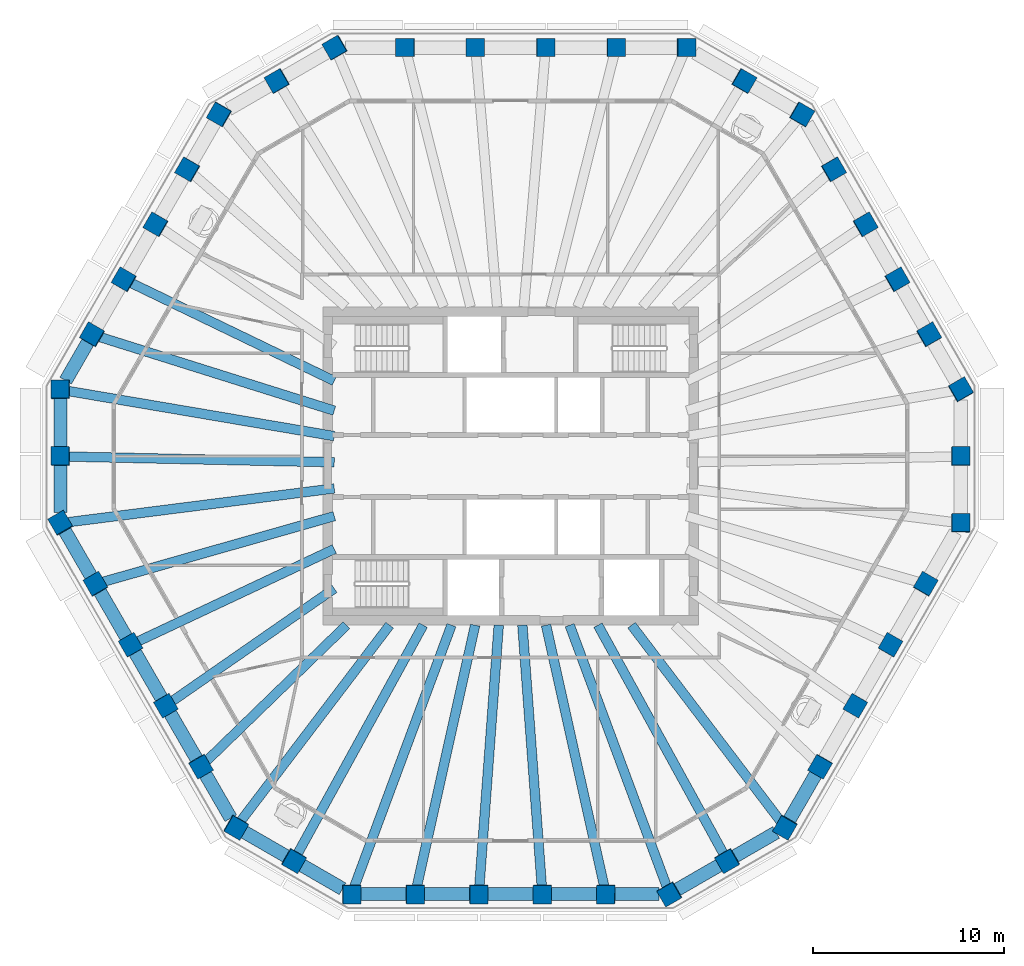
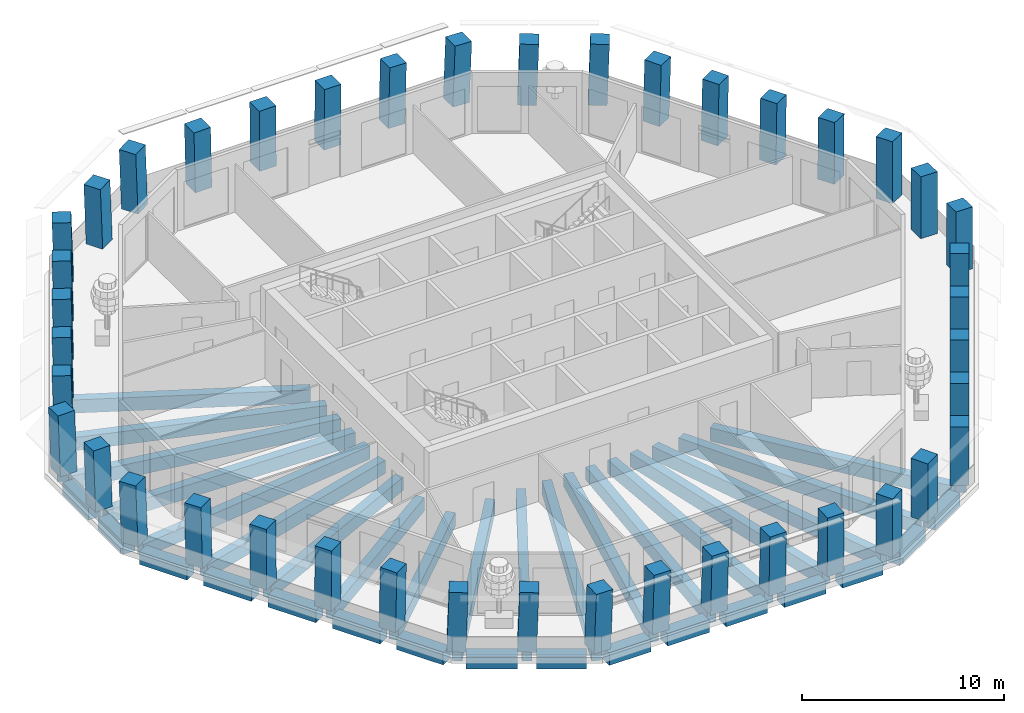
# One storey, part 1 of 11: 42 columns, 37 beams.
"""IFC4 building model written with IfcOpenShell, lengths in metres."""

from ifc_helpers import new_model, si_unit, direction, frame, origin, origin_2d, place, context, subcontext, project, spatial, rectangle, extrude, material, material_profile, profile_set, type_object, element, save


model = new_model("IFC4")

# Units and contexts
model_context = context("Model", 3, precision=1e-05, world=origin(), true_north=direction((0.0, 1.0)))
body_context = subcontext(model_context, "Body", "Model", "MODEL_VIEW")
ifc_project = project(units=[si_unit("LENGTHUNIT", "METRE"), si_unit("AREAUNIT", "SQUARE_METRE"), si_unit("VOLUMEUNIT", "CUBIC_METRE"), si_unit("PLANEANGLEUNIT", "RADIAN"), si_unit("MASSUNIT", "GRAM", prefix="KILO")], contexts=[model_context])

# Site, building, storey
site_placement = place(None, origin())
site = spatial("IfcSite", under=ifc_project, at=site_placement, CompositionType="ELEMENT")
building_placement = place(site_placement, origin())
building = spatial("IfcBuilding", under=site, at=building_placement, Name="Frailejon Research Tower", CompositionType="ELEMENT")
storey_placement = place(building_placement, frame((0.0, 0.0, 279.0)))
storey = spatial("IfcBuildingStorey", under=building, at=storey_placement, Name="L61", CompositionType="ELEMENT", Elevation=279.0)

# Columns
ifc_material_1 = material(Name="Concrete C50/60", Category="concrete")
ifc_material_profile_1 = material_profile(ifc_material_1, rectangle(XDim=0.949951171875, YDim=0.949951171875, at=origin_2d()), Name="Column 950")
ifc_profile_set_1 = profile_set([ifc_material_profile_1], Name="Concrete C50/60")
column_type = type_object("IfcColumnType", Name="Column 950", PredefinedType="COLUMN", material=ifc_profile_set_1)
for number, where, z_axis, x_axis, name in (
    (1, (23.614013671875, -2.9990234375, 0.0), (0.018182027584, 0.031350628444, 0.9993430602), (0.001220951571, 0.999506844207, -0.031377980519), "Column C01"),
    (2, (23.614013671875, 0.502685546875, 0.0), (0.01818198944, 0.031417408223, 0.999340963696), (0.00029662875, 0.999505974612, -0.031427992715), "Column C02"),
    (3, (23.614013671875, 4.0048828125, 0.0), (0.018182027584, 0.031350628444, 0.9993430602), (-0.498859598817, 0.866493650733, -0.018106736543), "Column C03"),
):
    element("IfcColumn", number, at=place(storey_placement, frame(where, z_axis=z_axis, x_axis=x_axis)), inside=storey, type_object=column_type, Name=name, PredefinedType="COLUMN", context=body_context, shape_type="SweptSolid", body=[
        extrude(rectangle(XDim=0.949951171875, YDim=0.949951171875, at=origin_2d()), origin(), (0.0, 0.0, 1.0), 3.65234375),
    ])
column_1_placement = place(storey_placement, frame((21.9462890625, 6.893310546875, 0.0), z_axis=(0.021793949015, 0.025136579231, 0.999446434868), x_axis=(-0.499172624886, 0.866433923407, -0.010906279564)))
element("IfcColumn", 4, at=column_1_placement, inside=storey, type_object=column_type, Name="Column C04", PredefinedType="COLUMN", context=body_context, shape_type="SweptSolid", body=[
    extrude(rectangle(XDim=0.949951171875, YDim=0.949951171875, at=origin_2d()), origin(), (0.0, 0.0, 1.0), 3.65185546875),
])
for number, where, z_axis, x_axis, name in (
    (5, (20.278564453125, 9.781982421875, 0.0), (0.025405336763, 0.018853434124, 0.999499433159), (-0.500083894321, 0.865969380989, -0.003623510742), "Column C05"),
    (6, (18.61083984375, 12.670654296875, 0.0), (0.029015583354, 0.012568962375, 0.99949993352), (-0.500120886693, 0.865947994233, 0.003629046282), "Column C06"),
):
    element("IfcColumn", number, at=place(storey_placement, frame(where, z_axis=z_axis, x_axis=x_axis)), inside=storey, type_object=column_type, Name=name, PredefinedType="COLUMN", context=body_context, shape_type="SweptSolid", body=[
        extrude(rectangle(XDim=0.949951171875, YDim=0.949951171875, at=origin_2d()), origin(), (0.0, 0.0, 1.0), 3.651611328125),
    ])
column_2_placement = place(storey_placement, frame((16.943115234375, 15.559326171875, 0.0), z_axis=(0.032624119908, 0.006284154245, 0.999447935715), x_axis=(-0.500036299202, 0.865936128062, 0.010877573109)))
element("IfcColumn", 7, at=column_2_placement, inside=storey, type_object=column_type, Name="Column C07", PredefinedType="COLUMN", context=body_context, shape_type="SweptSolid", body=[
    extrude(rectangle(XDim=0.949951171875, YDim=0.949951171875, at=origin_2d()), origin(), (0.0, 0.0, 1.0), 3.65185546875),
])
for number, where, z_axis, x_axis, name in (
    (8, (15.275390625, 18.447998046875, 0.0), (0.036230378439, 0.0, 0.99934346432), (-0.865314641241, 0.500246354177, 0.031371273281), "Column C08"),
    (9, (12.242431640625, 20.198974609375, 0.0), (0.036297136169, 0.0, 0.99934104184), (-0.865312543657, 0.500246354177, 0.031429077673), "Column C09"),
    (10, (9.209716796875, 21.949951171875, 0.0), (0.036297136169, 0.0, 0.99934104184), (-0.99934104184, 0.0, 0.036297136169), "Column C10"),
):
    element("IfcColumn", number, at=place(storey_placement, frame(where, z_axis=z_axis, x_axis=x_axis)), inside=storey, type_object=column_type, Name=name, PredefinedType="COLUMN", context=body_context, shape_type="SweptSolid", body=[
        extrude(rectangle(XDim=0.949951171875, YDim=0.949951171875, at=origin_2d()), origin(), (0.0, 0.0, 1.0), 3.65234375),
    ])
column_3_placement = place(storey_placement, frame((5.52587890625, 21.949951171875, 0.0), z_axis=(0.021733995409, 0.0, 0.999763788824), x_axis=(-0.999763788824, 0.0, 0.021733995409)))
element("IfcColumn", 11, at=column_3_placement, inside=storey, type_object=column_type, Name="Column C11", PredefinedType="COLUMN", context=body_context, shape_type="SweptSolid", body=[
    extrude(rectangle(XDim=0.949951171875, YDim=0.949951171875, at=origin_2d()), origin(), (0.0, 0.0, 1.0), 3.65087890625),
])
for number, where, z_axis, x_axis, name in (
    (12, (1.841796875, 21.949951171875, 0.0), (0.00729077612, 0.0, 0.999973421939), (-0.999973421939, 0.0, 0.00729077612), "Column C12"),
    (13, (-1.841796875, 21.949951171875, 0.0), (-0.00729077612, 0.0, 0.999973421939), (-0.999973421939, 0.0, -0.00729077612), "Column C13"),
):
    element("IfcColumn", number, at=place(storey_placement, frame(where, z_axis=z_axis, x_axis=x_axis)), inside=storey, type_object=column_type, Name=name, PredefinedType="COLUMN", context=body_context, shape_type="SweptSolid", body=[
        extrude(rectangle(XDim=0.949951171875, YDim=0.949951171875, at=origin_2d()), origin(), (0.0, 0.0, 1.0), 3.64990234375),
    ])
column_4_placement = place(storey_placement, frame((-5.52587890625, 21.949951171875, 0.0), z_axis=(-0.021733995409, 0.0, 0.999763788824), x_axis=(-0.999763788824, 0.0, -0.021733995409)))
element("IfcColumn", 14, at=column_4_placement, inside=storey, type_object=column_type, Name="Column C14", PredefinedType="COLUMN", context=body_context, shape_type="SweptSolid", body=[
    extrude(rectangle(XDim=0.949951171875, YDim=0.949951171875, at=origin_2d()), origin(), (0.0, 0.0, 1.0), 3.65087890625),
])
for number, where, z_axis, x_axis, name in (
    (15, (-9.209716796875, 21.949951171875, 0.0), (-0.036297136169, 0.0, 0.99934104184), (-0.865312543657, -0.500246354177, -0.031429077673), "Column C15"),
    (16, (-12.242431640625, 20.198974609375, 0.0), (-0.036297136169, 0.0, 0.99934104184), (-0.865312543657, -0.500246354177, -0.031429077673), "Column C16"),
    (17, (-15.275390625, 18.447998046875, 0.0), (-0.036230378439, 0.0, 0.99934346432), (-0.499425499283, -0.866167613071, -0.018106262248), "Column C17"),
):
    element("IfcColumn", number, at=place(storey_placement, frame(where, z_axis=z_axis, x_axis=x_axis)), inside=storey, type_object=column_type, Name=name, PredefinedType="COLUMN", context=body_context, shape_type="SweptSolid", body=[
        extrude(rectangle(XDim=0.949951171875, YDim=0.949951171875, at=origin_2d()), origin(), (0.0, 0.0, 1.0), 3.65234375),
    ])
column_5_placement = place(storey_placement, frame((-16.943115234375, 15.559326171875, 0.0), z_axis=(-0.032624119908, 0.006284154245, 0.999447935715), x_axis=(-0.500036299202, -0.865936128062, -0.010877573109)))
element("IfcColumn", 18, at=column_5_placement, inside=storey, type_object=column_type, Name="Column C18", PredefinedType="COLUMN", context=body_context, shape_type="SweptSolid", body=[
    extrude(rectangle(XDim=0.949951171875, YDim=0.949951171875, at=origin_2d()), origin(), (0.0, 0.0, 1.0), 3.65185546875),
])
for number, where, z_axis, x_axis, name in (
    (19, (-18.61083984375, 12.670654296875, 0.0), (-0.029015583354, 0.012568962375, 0.99949993352), (-0.500120886693, -0.865947994233, -0.003629046282), "Column C19"),
    (20, (-20.278564453125, 9.781982421875, 0.0), (-0.025405336763, 0.018853434124, 0.999499433159), (-0.500083894321, -0.865969380989, 0.003623510742), "Column C20"),
):
    element("IfcColumn", number, at=place(storey_placement, frame(where, z_axis=z_axis, x_axis=x_axis)), inside=storey, type_object=column_type, Name=name, PredefinedType="COLUMN", context=body_context, shape_type="SweptSolid", body=[
        extrude(rectangle(XDim=0.949951171875, YDim=0.949951171875, at=origin_2d()), origin(), (0.0, 0.0, 1.0), 3.651611328125),
    ])
column_6_placement = place(storey_placement, frame((-21.9462890625, 6.893310546875, 0.0), z_axis=(-0.021793949015, 0.025136579231, 0.999446434868), x_axis=(-0.499172624886, -0.866433923407, 0.010906279564)))
element("IfcColumn", 21, at=column_6_placement, inside=storey, type_object=column_type, Name="Column C21", PredefinedType="COLUMN", context=body_context, shape_type="SweptSolid", body=[
    extrude(rectangle(XDim=0.949951171875, YDim=0.949951171875, at=origin_2d()), origin(), (0.0, 0.0, 1.0), 3.65185546875),
])
for number, where, z_axis, x_axis, name in (
    (22, (-23.614013671875, 4.0048828125, 0.0), (-0.018182027584, 0.031350628444, 0.9993430602), (0.001220951571, -0.999506844207, 0.031377980519), "Column C22"),
    (23, (-23.614013671875, 0.502685546875, 0.0), (-0.01818198944, 0.031417408223, 0.999340963696), (0.00029662875, -0.999505974612, 0.031427992715), "Column C23"),
    (24, (-23.614013671875, -2.9990234375, 0.0), (-0.018182027584, 0.031350628444, 0.9993430602), (0.501220488525, -0.864560335597, 0.036241523095), "Column C24"),
):
    element("IfcColumn", number, at=place(storey_placement, frame(where, z_axis=z_axis, x_axis=x_axis)), inside=storey, type_object=column_type, Name=name, PredefinedType="COLUMN", context=body_context, shape_type="SweptSolid", body=[
        extrude(rectangle(XDim=0.949951171875, YDim=0.949951171875, at=origin_2d()), origin(), (0.0, 0.0, 1.0), 3.65234375),
    ])
column_7_placement = place(storey_placement, frame((-21.772216796875, -6.189453125, 0.0), z_axis=(-0.010900423214, 0.018858400897, 0.999762742599), x_axis=(0.500590318805, -0.865410234662, 0.021782067434)))
element("IfcColumn", 25, at=column_7_placement, inside=storey, type_object=column_type, Name="Column C25", PredefinedType="COLUMN", context=body_context, shape_type="SweptSolid", body=[
    extrude(rectangle(XDim=0.949951171875, YDim=0.949951171875, at=origin_2d()), origin(), (0.0, 0.0, 1.0), 3.65087890625),
])
for number, where, z_axis, x_axis, name in (
    (26, (-19.93017578125, -9.3798828125, 0.0), (-0.003611945175, 0.00628746012, 0.999973710503), (0.497890394796, -0.867209649664, 0.007251089524), "Column C26"),
    (27, (-18.08837890625, -12.5703125, 0.0), (0.003611946686, -0.006220574848, 0.99997412881), (0.501902146393, -0.864894498618, -0.007193170855), "Column C27"),
):
    element("IfcColumn", number, at=place(storey_placement, frame(where, z_axis=z_axis, x_axis=x_axis)), inside=storey, type_object=column_type, Name=name, PredefinedType="COLUMN", context=body_context, shape_type="SweptSolid", body=[
        extrude(rectangle(XDim=0.949951171875, YDim=0.949951171875, at=origin_2d()), origin(), (0.0, 0.0, 1.0), 3.64990234375),
    ])
column_8_placement = place(storey_placement, frame((-16.246337890625, -15.760498046875, 0.0), z_axis=(0.010900423214, -0.018858400897, 0.999762742599), x_axis=(0.500590318805, -0.865410234662, -0.021782067434)))
element("IfcColumn", 28, at=column_8_placement, inside=storey, type_object=column_type, Name="Column C28", PredefinedType="COLUMN", context=body_context, shape_type="SweptSolid", body=[
    extrude(rectangle(XDim=0.949951171875, YDim=0.949951171875, at=origin_2d()), origin(), (0.0, 0.0, 1.0), 3.65087890625),
])
for number, where, z_axis, x_axis, name in (
    (29, (-14.404296875, -18.950927734375, 0.0), (0.018115165867, -0.031417446337, 0.999342176049), (0.865519692755, -0.499889378995, -0.031404939456), "Column C29"),
    (30, (-11.37158203125, -20.701904296875, 0.0), (0.018115203871, -0.031350666477, 0.999344272561), (0.865981217505, -0.499092579547, -0.031354871555), "Column C30"),
    (31, (-8.3388671875, -22.452880859375, 0.0), (0.018115203871, -0.031350666477, 0.999344272561), (0.999835887043, 0.000763832147, -0.018100153051), "Column C31"),
):
    element("IfcColumn", number, at=place(storey_placement, frame(where, z_axis=z_axis, x_axis=x_axis)), inside=storey, type_object=column_type, Name=name, PredefinedType="COLUMN", context=body_context, shape_type="SweptSolid", body=[
        extrude(rectangle(XDim=0.949951171875, YDim=0.949951171875, at=origin_2d()), origin(), (0.0, 0.0, 1.0), 3.65234375),
    ])
column_9_placement = place(storey_placement, frame((-5.00341796875, -22.452880859375, 0.0), z_axis=(0.010963846589, -0.031353927136, 0.999448210425), x_axis=(0.999936729762, 0.002858749712, -0.010879523081)))
element("IfcColumn", 32, at=column_9_placement, inside=storey, type_object=column_type, Name="Column C32", PredefinedType="COLUMN", context=body_context, shape_type="SweptSolid", body=[
    extrude(rectangle(XDim=0.949951171875, YDim=0.949951171875, at=origin_2d()), origin(), (0.0, 0.0, 1.0), 3.65185546875),
])
for number, where, z_axis, x_axis, name in (
    (33, (-1.667724609375, -22.452880859375, 0.0), (0.003610240514, -0.031355607426, 0.999501771908), (0.999992986294, -0.000883072198, -0.003639717868), "Column C33"),
    (34, (1.667724609375, -22.452880859375, 0.0), (-0.003610240514, -0.031355607426, 0.999501771908), (0.999992986294, 0.000883072198, 0.003639717868), "Column C34"),
):
    element("IfcColumn", number, at=place(storey_placement, frame(where, z_axis=z_axis, x_axis=x_axis)), inside=storey, type_object=column_type, Name=name, PredefinedType="COLUMN", context=body_context, shape_type="SweptSolid", body=[
        extrude(rectangle(XDim=0.949951171875, YDim=0.949951171875, at=origin_2d()), origin(), (0.0, 0.0, 1.0), 3.651611328125),
    ])
column_10_placement = place(storey_placement, frame((5.00341796875, -22.452880859375, 0.0), z_axis=(-0.010963846589, -0.031353927136, 0.999448210425), x_axis=(0.999936729762, -0.002858749712, 0.010879523081)))
element("IfcColumn", 35, at=column_10_placement, inside=storey, type_object=column_type, Name="Column C35", PredefinedType="COLUMN", context=body_context, shape_type="SweptSolid", body=[
    extrude(rectangle(XDim=0.949951171875, YDim=0.949951171875, at=origin_2d()), origin(), (0.0, 0.0, 1.0), 3.65185546875),
])
for number, where, z_axis, x_axis, name in (
    (36, (8.3388671875, -22.452880859375, 0.0), (-0.018115203871, -0.031350666477, 0.999344272561), (0.865981217505, 0.499092579547, 0.031354871555), "Column C36"),
    (37, (11.37158203125, -20.701904296875, 0.0), (-0.018115203871, -0.031350666477, 0.999344272561), (0.865981217505, 0.499092579547, 0.031354871555), "Column C37"),
    (38, (14.404296875, -18.950927734375, 0.0), (-0.018115165867, -0.031417446337, 0.999342176049), (0.499040470376, 0.865819492615, 0.036265894916), "Column C38"),
):
    element("IfcColumn", number, at=place(storey_placement, frame(where, z_axis=z_axis, x_axis=x_axis)), inside=storey, type_object=column_type, Name=name, PredefinedType="COLUMN", context=body_context, shape_type="SweptSolid", body=[
        extrude(rectangle(XDim=0.949951171875, YDim=0.949951171875, at=origin_2d()), origin(), (0.0, 0.0, 1.0), 3.65234375),
    ])
column_11_placement = place(storey_placement, frame((16.246337890625, -15.760498046875, 0.0), z_axis=(-0.010900423214, -0.018858400897, 0.999762742599), x_axis=(0.500590318805, 0.865410234662, 0.021782067434)))
element("IfcColumn", 39, at=column_11_placement, inside=storey, type_object=column_type, Name="Column C39", PredefinedType="COLUMN", context=body_context, shape_type="SweptSolid", body=[
    extrude(rectangle(XDim=0.949951171875, YDim=0.949951171875, at=origin_2d()), origin(), (0.0, 0.0, 1.0), 3.65087890625),
])
for number, where, z_axis, x_axis, name in (
    (40, (18.08837890625, -12.5703125, 0.0), (-0.003611946686, -0.006220574848, 0.99997412881), (0.501902146393, 0.864894498618, 0.007193170855), "Column C40"),
    (41, (19.93017578125, -9.3798828125, 0.0), (0.003611945175, 0.00628746012, 0.999973710503), (0.497890394796, 0.867209649664, -0.007251089524), "Column C41"),
):
    element("IfcColumn", number, at=place(storey_placement, frame(where, z_axis=z_axis, x_axis=x_axis)), inside=storey, type_object=column_type, Name=name, PredefinedType="COLUMN", context=body_context, shape_type="SweptSolid", body=[
        extrude(rectangle(XDim=0.949951171875, YDim=0.949951171875, at=origin_2d()), origin(), (0.0, 0.0, 1.0), 3.64990234375),
    ])
column_12_placement = place(storey_placement, frame((21.772216796875, -6.189453125, 0.0), z_axis=(0.010900423214, 0.018858400897, 0.999762742599), x_axis=(0.500590318805, 0.865410234662, -0.021782067434)))
element("IfcColumn", 42, at=column_12_placement, inside=storey, type_object=column_type, Name="Column C42", PredefinedType="COLUMN", context=body_context, shape_type="SweptSolid", body=[
    extrude(rectangle(XDim=0.949951171875, YDim=0.949951171875, at=origin_2d()), origin(), (0.0, 0.0, 1.0), 3.65087890625),
])

# Beams
ifc_material_2 = material(Name="Concrete C60/75", Category="concrete")
ifc_material_profile_2 = material_profile(ifc_material_2, rectangle(XDim=0.5, YDim=0.800048828125, at=origin_2d()), Name="Girder 500x800")
ifc_profile_set_2 = profile_set([ifc_material_profile_2], Name="Concrete C60/75")
beam_type_1 = type_object("IfcBeamType", Name="Girder 500x800", PredefinedType="BEAM", material=ifc_profile_set_2)
beam_1_placement = place(storey_placement, frame((-19.984619140625, 9.640380859375, -0.699951171875), z_axis=(0.900683233217, -0.434476366907, 0.0), x_axis=(0.434476366907, 0.900683233217, 0.0)))
element("IfcBeam", 43, at=beam_1_placement, inside=storey, type_object=beam_type_1, Name="Girder 500x800", PredefinedType="BEAM", context=body_context, shape_type="SweptSolid", body=[
    extrude(rectangle(XDim=0.5, YDim=0.800048828125, at=origin_2d()), origin(), (0.0, 0.0, 1.0), 11.918212890625),
])
beam_2_placement = place(storey_placement, frame((-21.625244140625, 6.79248046875, -0.699951171875), z_axis=(0.954046614991, -0.299658232699, 0.0), x_axis=(0.299658232699, 0.954046614991, 0.0)))
element("IfcBeam", 44, at=beam_2_placement, inside=storey, type_object=beam_type_1, Name="Girder 500x800", PredefinedType="BEAM", context=body_context, shape_type="SweptSolid", body=[
    extrude(rectangle(XDim=0.5, YDim=0.800048828125, at=origin_2d()), origin(), (0.0, 0.0, 1.0), 12.971435546875),
])
beam_3_placement = place(storey_placement, frame((-23.287109375, 3.94921875, -0.699951171875), z_axis=(0.985921840799, -0.167206829512, 0.0), x_axis=(0.167206829512, 0.985921840799, 0.0)))
element("IfcBeam", 45, at=beam_3_placement, inside=storey, type_object=beam_type_1, Name="Girder 500x800", PredefinedType="BEAM", context=body_context, shape_type="SweptSolid", body=[
    extrude(rectangle(XDim=0.5, YDim=0.800048828125, at=origin_2d()), origin(), (0.0, 0.0, 1.0), 14.237548828125),
])
beam_4_placement = place(storey_placement, frame((-23.2890625, 0.495849609375, -0.699951171875), z_axis=(0.999773541209, -0.02128065551, 0.0), x_axis=(0.02128065551, 0.999773541209, 0.0)))
element("IfcBeam", 46, at=beam_4_placement, inside=storey, type_object=beam_type_1, Name="Girder 500x800", PredefinedType="BEAM", context=body_context, shape_type="SweptSolid", body=[
    extrude(rectangle(XDim=0.5, YDim=0.800048828125, at=origin_2d()), origin(), (0.0, 0.0, 1.0), 14.042236328125),
])
beam_5_placement = place(storey_placement, frame((-23.251953125, -2.953125, -0.699951171875), z_axis=(0.992031121341, 0.125993072392, 0.0), x_axis=(-0.125993072392, 0.992031121341, 0.0)))
element("IfcBeam", 47, at=beam_5_placement, inside=storey, type_object=beam_type_1, Name="Girder 500x800", PredefinedType="BEAM", context=body_context, shape_type="SweptSolid", body=[
    extrude(rectangle(XDim=0.5, YDim=0.800048828125, at=origin_2d()), origin(), (0.0, 0.0, 1.0), 14.114501953125),
])
beam_6_placement = place(storey_placement, frame((-21.4453125, -6.0966796875, -0.699951171875), z_axis=(0.96188426086, 0.273456886381, 0.0), x_axis=(-0.273456886381, 0.96188426086, 0.0)))
element("IfcBeam", 48, at=beam_6_placement, inside=storey, type_object=beam_type_1, Name="Girder 500x800", PredefinedType="BEAM", context=body_context, shape_type="SweptSolid", body=[
    extrude(rectangle(XDim=0.5, YDim=0.800048828125, at=origin_2d()), origin(), (0.0, 0.0, 1.0), 12.678466796875),
])
beam_7_placement = place(storey_placement, frame((-19.634521484375, -9.24072265625, -0.699951171875), z_axis=(0.904806167577, 0.425823671389, 0.0), x_axis=(-0.425823671389, 0.904806167577, 0.0)))
element("IfcBeam", 49, at=beam_7_placement, inside=storey, type_object=beam_type_1, Name="Girder 500x800", PredefinedType="BEAM", context=body_context, shape_type="SweptSolid", body=[
    extrude(rectangle(XDim=0.5, YDim=0.800048828125, at=origin_2d()), origin(), (0.0, 0.0, 1.0), 11.47705078125),
])
beam_8_placement = place(storey_placement, frame((-17.820068359375, -12.3837890625, -0.699951171875), z_axis=(0.821184515142, 0.570662765643, 0.0), x_axis=(-0.570662765643, 0.821184515142, 0.0)))
element("IfcBeam", 50, at=beam_8_placement, inside=storey, type_object=beam_type_1, Name="Girder 500x800", PredefinedType="BEAM", context=body_context, shape_type="SweptSolid", body=[
    extrude(rectangle(XDim=0.5, YDim=0.800048828125, at=origin_2d()), origin(), (0.0, 0.0, 1.0), 10.436279296875),
])
beam_9_placement = place(storey_placement, frame((-16.00244140625, -15.52392578125, -0.699951171875), z_axis=(0.71775970398, 0.696290892762, 0.0), x_axis=(-0.696290892762, 0.71775970398, 0.0)))
element("IfcBeam", 51, at=beam_9_placement, inside=storey, type_object=beam_type_1, Name="Girder 500x800", PredefinedType="BEAM", context=body_context, shape_type="SweptSolid", body=[
    extrude(rectangle(XDim=0.5, YDim=0.800048828125, at=origin_2d()), origin(), (0.0, 0.0, 1.0), 10.302978515625),
])
beam_10_placement = place(storey_placement, frame((-14.205322265625, -18.689208984375, -0.699951171875), z_axis=(0.605128072017, 0.796128140727, 0.0), x_axis=(-0.796128140727, 0.605128072017, 0.0)))
element("IfcBeam", 52, at=beam_10_placement, inside=storey, type_object=beam_type_1, Name="Girder 500x800", PredefinedType="BEAM", context=body_context, shape_type="SweptSolid", body=[
    extrude(rectangle(XDim=0.5, YDim=0.800048828125, at=origin_2d()), origin(), (0.0, 0.0, 1.0), 12.98681640625),
])
beam_11_placement = place(storey_placement, frame((-11.215087890625, -20.4169921875, -0.699951171875), z_axis=(0.481451700257, 0.876472623828, 0.0), x_axis=(-0.876472623828, 0.481451700257, 0.0)))
element("IfcBeam", 53, at=beam_11_placement, inside=storey, type_object=beam_type_1, Name="Girder 500x800", PredefinedType="BEAM", context=body_context, shape_type="SweptSolid", body=[
    extrude(rectangle(XDim=0.5, YDim=0.800048828125, at=origin_2d()), origin(), (0.0, 0.0, 1.0), 13.767578125),
])
beam_12_placement = place(storey_placement, frame((-8.214599609375, -22.118408203125, -0.699951171875), z_axis=(0.348161488179, 0.93743457273, 0.0), x_axis=(-0.93743457273, 0.348161488179, 0.0)))
element("IfcBeam", 54, at=beam_12_placement, inside=storey, type_object=beam_type_1, Name="Girder 500x800", PredefinedType="BEAM", context=body_context, shape_type="SweptSolid", body=[
    extrude(rectangle(XDim=0.5, YDim=0.800048828125, at=origin_2d()), origin(), (0.0, 0.0, 1.0), 14.687255859375),
])
beam_13_placement = place(storey_placement, frame((-4.93017578125, -22.124267578125, -0.699951171875), z_axis=(0.217514756884, 0.976057032421, 0.0), x_axis=(-0.976057032421, 0.217514756884, 0.0)))
element("IfcBeam", 55, at=beam_13_placement, inside=storey, type_object=beam_type_1, Name="Girder 500x800", PredefinedType="BEAM", context=body_context, shape_type="SweptSolid", body=[
    extrude(rectangle(XDim=0.5, YDim=0.800048828125, at=origin_2d()), origin(), (0.0, 0.0, 1.0), 14.112060546875),
])
for number, where, z_axis, x_axis, name in (
    (56, (-1.6435546875, -22.12744140625, -0.699951171875), (0.074079983954, 0.99725230307, 0.0), (-0.99725230307, 0.074079983954, 0.0), "Girder 500x800"),
    (57, (1.6435546875, -22.12744140625, -0.699951171875), (-0.074079983954, 0.99725230307, 0.0), (-0.99725230307, -0.074079983954, 0.0), "Girder 500x800"),
):
    element("IfcBeam", number, at=place(storey_placement, frame(where, z_axis=z_axis, x_axis=x_axis)), inside=storey, type_object=beam_type_1, Name=name, PredefinedType="BEAM", context=body_context, shape_type="SweptSolid", body=[
        extrude(rectangle(XDim=0.5, YDim=0.800048828125, at=origin_2d()), origin(), (0.0, 0.0, 1.0), 13.815185546875),
    ])
beam_14_placement = place(storey_placement, frame((4.93017578125, -22.124267578125, -0.699951171875), z_axis=(-0.217514756884, 0.976057032421, 0.0), x_axis=(-0.976057032421, -0.217514756884, 0.0)))
element("IfcBeam", 58, at=beam_14_placement, inside=storey, type_object=beam_type_1, Name="Girder 500x800", PredefinedType="BEAM", context=body_context, shape_type="SweptSolid", body=[
    extrude(rectangle(XDim=0.5, YDim=0.800048828125, at=origin_2d()), origin(), (0.0, 0.0, 1.0), 14.112060546875),
])
beam_15_placement = place(storey_placement, frame((8.223388671875, -22.141845703125, -0.699951171875), z_axis=(-0.348166530568, 0.93743269998, 0.0), x_axis=(-0.93743269998, -0.348166530568, 0.0)))
element("IfcBeam", 59, at=beam_15_placement, inside=storey, type_object=beam_type_1, Name="Girder 500x800", PredefinedType="BEAM", context=body_context, shape_type="SweptSolid", body=[
    extrude(rectangle(XDim=0.5, YDim=0.800048828125, at=origin_2d()), origin(), (0.0, 0.0, 1.0), 14.712158203125),
])
beam_16_placement = place(storey_placement, frame((11.215087890625, -20.4169921875, -0.699951171875), z_axis=(-0.481451700257, 0.876472623828, 0.0), x_axis=(-0.876472623828, -0.481451700257, 0.0)))
element("IfcBeam", 60, at=beam_16_placement, inside=storey, type_object=beam_type_1, Name="Girder 500x800", PredefinedType="BEAM", context=body_context, shape_type="SweptSolid", body=[
    extrude(rectangle(XDim=0.5, YDim=0.800048828125, at=origin_2d()), origin(), (0.0, 0.0, 1.0), 13.767578125),
])
beam_17_placement = place(storey_placement, frame((14.18359375, -18.66015625, -0.699951171875), z_axis=(-0.605145404246, 0.796114966396, 0.0), x_axis=(-0.796114966396, -0.605145404246, 0.0)))
element("IfcBeam", 61, at=beam_17_placement, inside=storey, type_object=beam_type_1, Name="Girder 500x800", PredefinedType="BEAM", context=body_context, shape_type="SweptSolid", body=[
    extrude(rectangle(XDim=0.5, YDim=0.800048828125, at=origin_2d()), origin(), (0.0, 0.0, 1.0), 12.950439453125),
])
ifc_material_3 = material(Name="Concrete C60/75", Category="concrete")
ifc_material_profile_3 = material_profile(ifc_material_3, rectangle(XDim=0.699951171875, YDim=0.75, at=origin_2d()), Name="Spandrel 700x750")
ifc_profile_set_3 = profile_set([ifc_material_profile_3], Name="Concrete C60/75")
beam_type_2 = type_object("IfcBeamType", Name="Spandrel 700x750", PredefinedType="BEAM", material=ifc_profile_set_3)
beam_18_placement = place(storey_placement, frame((-22.183837890625, 6.48193359375, -0.72509765625), z_axis=(-0.500011914892, -0.866018524609, 0.0), x_axis=(0.866018524609, -0.500011914892, 0.0)))
element("IfcBeam", 62, at=beam_18_placement, inside=storey, type_object=beam_type_2, Name="Spandrel 700x750", PredefinedType="BEAM", context=body_context, shape_type="SweptSolid", body=[
    extrude(rectangle(XDim=0.699951171875, YDim=0.75, at=origin_2d()), origin(), (0.0, 0.0, 1.0), 2.31201171875),
])
beam_19_placement = place(storey_placement, frame((-23.614013671875, 3.52978515625, -0.72509765625), z_axis=(0.0, -1.0, 0.0), x_axis=(1.0, 0.0, 0.0)))
element("IfcBeam", 63, at=beam_19_placement, inside=storey, type_object=beam_type_2, Name="Spandrel 700x750", PredefinedType="BEAM", context=body_context, shape_type="SweptSolid", body=[
    extrude(rectangle(XDim=0.699951171875, YDim=0.75, at=origin_2d()), origin(), (0.0, 0.0, 1.0), 2.552001953125),
])
beam_20_placement = place(storey_placement, frame((-23.614013671875, 0.02783203125, -0.72509765625), z_axis=(0.0, -1.0, 0.0), x_axis=(1.0, 0.0, 0.0)))
element("IfcBeam", 64, at=beam_20_placement, inside=storey, type_object=beam_type_2, Name="Spandrel 700x750", PredefinedType="BEAM", context=body_context, shape_type="SweptSolid", body=[
    extrude(rectangle(XDim=0.699951171875, YDim=0.75, at=origin_2d()), origin(), (0.0, 0.0, 1.0), 2.478515625),
])
for number, where, z_axis, x_axis, name in (
    (65, (-23.376708984375, -3.410400390625, -0.72509765625), (0.499990428537, -0.866030929801, 0.0), (0.866030929801, 0.499990428537, 0.0), "Spandrel 700x750"),
    (66, (-21.53466796875, -6.600830078125, -0.72509765625), (0.499990428537, -0.866030929801, 0.0), (0.866030929801, 0.499990428537, 0.0), "Spandrel 700x750"),
):
    element("IfcBeam", number, at=place(storey_placement, frame(where, z_axis=z_axis, x_axis=x_axis)), inside=storey, type_object=beam_type_2, Name=name, PredefinedType="BEAM", context=body_context, shape_type="SweptSolid", body=[
        extrude(rectangle(XDim=0.699951171875, YDim=0.75, at=origin_2d()), origin(), (0.0, 0.0, 1.0), 2.73388671875),
    ])
for number, where, z_axis, x_axis, name in (
    (67, (-19.692626953125, -9.791259765625, -0.72509765625), (0.500029098549, -0.866008603077, 0.0), (0.866008603077, 0.500029098549, 0.0), "Spandrel 700x750"),
    (68, (-17.850830078125, -12.981689453125, -0.72509765625), (0.500029098549, -0.866008603077, 0.0), (0.866008603077, 0.500029098549, 0.0), "Spandrel 700x750"),
):
    element("IfcBeam", number, at=place(storey_placement, frame(where, z_axis=z_axis, x_axis=x_axis)), inside=storey, type_object=beam_type_2, Name=name, PredefinedType="BEAM", context=body_context, shape_type="SweptSolid", body=[
        extrude(rectangle(XDim=0.699951171875, YDim=0.75, at=origin_2d()), origin(), (0.0, 0.0, 1.0), 2.733642578125),
    ])
beam_21_placement = place(storey_placement, frame((-16.0087890625, -16.171875, -0.72509765625), z_axis=(0.49996871788, -0.866043463772, 0.0), x_axis=(0.866043463772, 0.49996871788, 0.0)))
element("IfcBeam", 69, at=beam_21_placement, inside=storey, type_object=beam_type_2, Name="Spandrel 700x750", PredefinedType="BEAM", context=body_context, shape_type="SweptSolid", body=[
    extrude(rectangle(XDim=0.699951171875, YDim=0.75, at=origin_2d()), origin(), (0.0, 0.0, 1.0), 2.660400390625),
])
beam_22_placement = place(storey_placement, frame((-13.992919921875, -19.1884765625, -0.72509765625), z_axis=(0.866032638483, -0.499987468925, 0.0), x_axis=(0.499987468925, 0.866032638483, 0.0)))
element("IfcBeam", 70, at=beam_22_placement, inside=storey, type_object=beam_type_2, Name="Spandrel 700x750", PredefinedType="BEAM", context=body_context, shape_type="SweptSolid", body=[
    extrude(rectangle(XDim=0.699951171875, YDim=0.75, at=origin_2d()), origin(), (0.0, 0.0, 1.0), 2.5517578125),
])
beam_23_placement = place(storey_placement, frame((-10.960205078125, -20.939208984375, -0.72509765625), z_axis=(0.865985461726, -0.500069175294, 0.0), x_axis=(0.500069175294, 0.865985461726, 0.0)))
element("IfcBeam", 71, at=beam_23_placement, inside=storey, type_object=beam_type_2, Name="Spandrel 700x750", PredefinedType="BEAM", context=body_context, shape_type="SweptSolid", body=[
    extrude(rectangle(XDim=0.699951171875, YDim=0.75, at=origin_2d()), origin(), (0.0, 0.0, 1.0), 2.478759765625),
])
for number, where, z_axis, x_axis, name in (
    (72, (-7.86376953125, -22.452880859375, -0.72509765625), (1.0, 0.0, 0.0), (0.0, 1.0, 0.0), "Spandrel 700x750"),
    (73, (-4.5283203125, -22.452880859375, -0.72509765625), (1.0, 0.0, 0.0), (0.0, 1.0, 0.0), "Spandrel 700x750"),
):
    element("IfcBeam", number, at=place(storey_placement, frame(where, z_axis=z_axis, x_axis=x_axis)), inside=storey, type_object=beam_type_2, Name=name, PredefinedType="BEAM", context=body_context, shape_type="SweptSolid", body=[
        extrude(rectangle(XDim=0.699951171875, YDim=0.75, at=origin_2d()), origin(), (0.0, 0.0, 1.0), 2.385498046875),
    ])
beam_24_placement = place(storey_placement, frame((-1.19287109375, -22.452880859375, -0.72509765625), z_axis=(1.0, 0.0, 0.0), x_axis=(0.0, 1.0, 0.0)))
element("IfcBeam", 74, at=beam_24_placement, inside=storey, type_object=beam_type_2, Name="Spandrel 700x750", PredefinedType="BEAM", context=body_context, shape_type="SweptSolid", body=[
    extrude(rectangle(XDim=0.699951171875, YDim=0.75, at=origin_2d()), origin(), (0.0, 0.0, 1.0), 2.3857421875),
])
beam_25_placement = place(storey_placement, frame((2.142822265625, -22.452880859375, -0.72509765625), z_axis=(1.0, 0.0, 0.0), x_axis=(0.0, 1.0, 0.0)))
element("IfcBeam", 75, at=beam_25_placement, inside=storey, type_object=beam_type_2, Name="Spandrel 700x750", PredefinedType="BEAM", context=body_context, shape_type="SweptSolid", body=[
    extrude(rectangle(XDim=0.699951171875, YDim=0.75, at=origin_2d()), origin(), (0.0, 0.0, 1.0), 2.385498046875),
])
beam_26_placement = place(storey_placement, frame((5.478271484375, -22.452880859375, -0.72509765625), z_axis=(1.0, 0.0, 0.0), x_axis=(0.0, 1.0, 0.0)))
element("IfcBeam", 76, at=beam_26_placement, inside=storey, type_object=beam_type_2, Name="Spandrel 700x750", PredefinedType="BEAM", context=body_context, shape_type="SweptSolid", body=[
    extrude(rectangle(XDim=0.699951171875, YDim=0.75, at=origin_2d()), origin(), (0.0, 0.0, 1.0), 2.31201171875),
])
beam_27_placement = place(storey_placement, frame((8.750244140625, -22.21533203125, -0.72509765625), z_axis=(0.865991210529, 0.500059219779, 0.0), x_axis=(-0.500059219779, 0.865991210529, 0.0)))
element("IfcBeam", 77, at=beam_27_placement, inside=storey, type_object=beam_type_2, Name="Spandrel 700x750", PredefinedType="BEAM", context=body_context, shape_type="SweptSolid", body=[
    extrude(rectangle(XDim=0.699951171875, YDim=0.75, at=origin_2d()), origin(), (0.0, 0.0, 1.0), 2.552001953125),
])
beam_28_placement = place(storey_placement, frame((11.782958984375, -20.46435546875, -0.72509765625), z_axis=(0.866028115054, 0.499995303914, 0.0), x_axis=(-0.499995303914, 0.866028115054, 0.0)))
element("IfcBeam", 78, at=beam_28_placement, inside=storey, type_object=beam_type_2, Name="Spandrel 700x750", PredefinedType="BEAM", context=body_context, shape_type="SweptSolid", body=[
    extrude(rectangle(XDim=0.699951171875, YDim=0.75, at=origin_2d()), origin(), (0.0, 0.0, 1.0), 2.478515625),
])
beam_29_placement = place(storey_placement, frame((14.641845703125, -18.53955078125, -0.72509765625), z_axis=(0.499990428537, 0.866030929801, 0.0), x_axis=(-0.866030929801, 0.499990428537, 0.0)))
element("IfcBeam", 79, at=beam_29_placement, inside=storey, type_object=beam_type_2, Name="Spandrel 700x750", PredefinedType="BEAM", context=body_context, shape_type="SweptSolid", body=[
    extrude(rectangle(XDim=0.699951171875, YDim=0.75, at=origin_2d()), origin(), (0.0, 0.0, 1.0), 2.73388671875),
])

save(model, "model.ifc")
